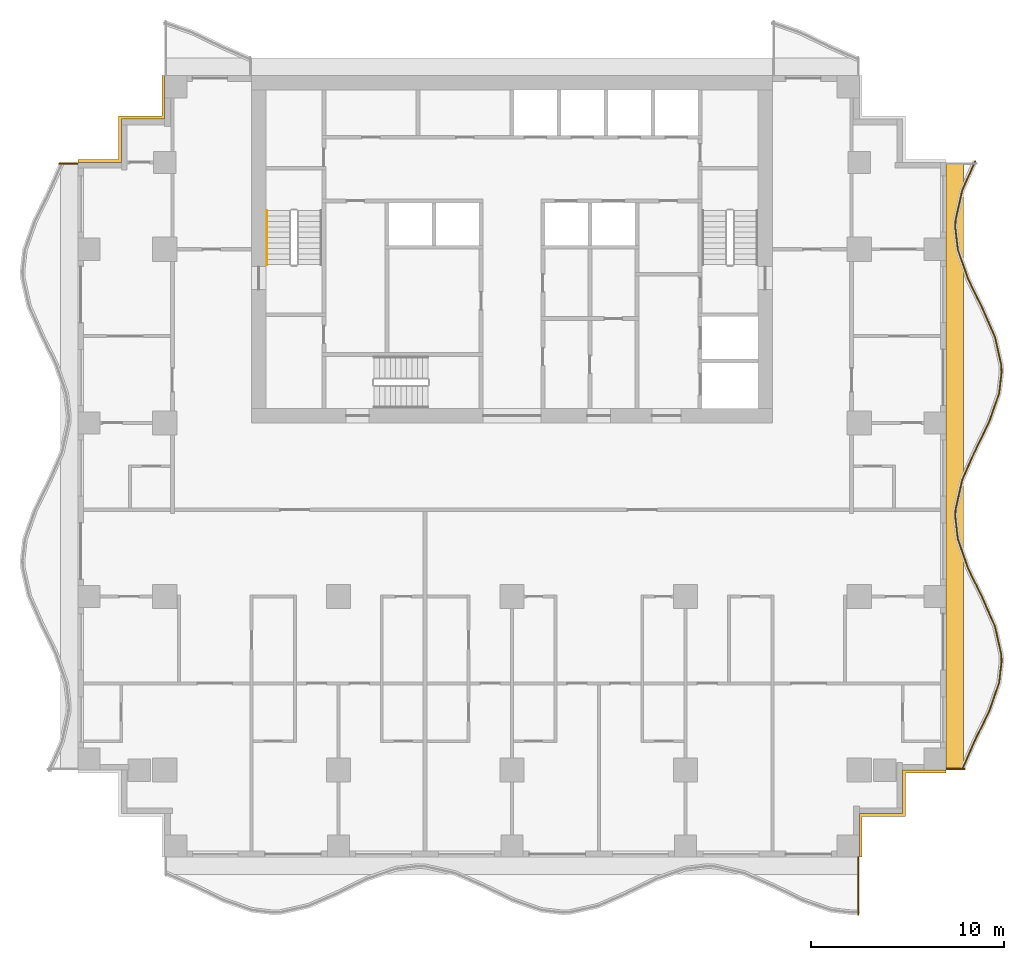
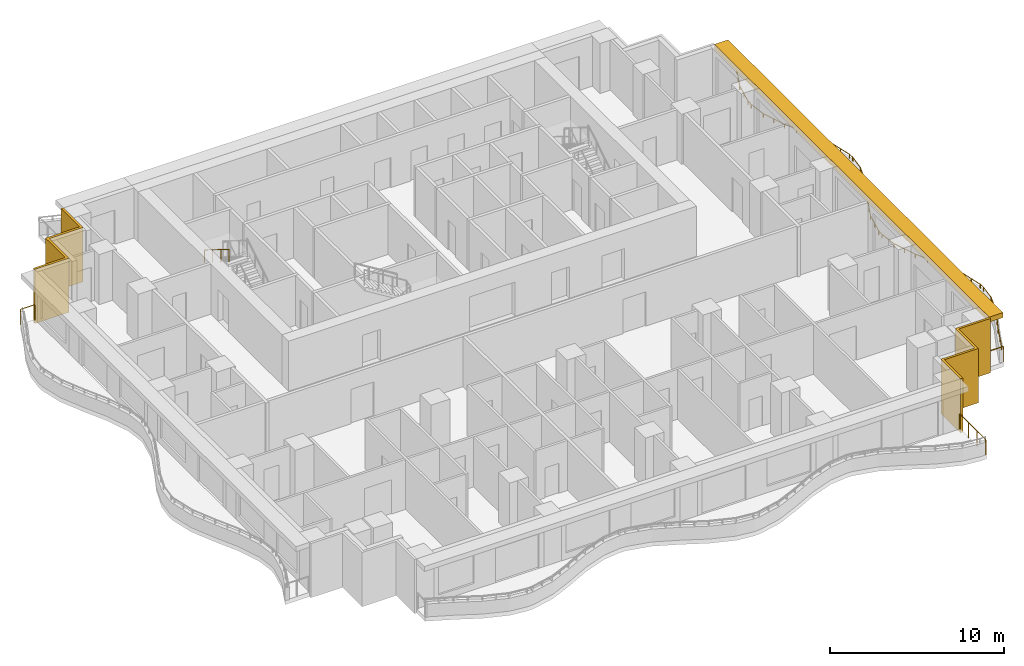
# One storey, part 9 of 10: 5 railings, 3 shading devices.
"""IFC4 building model written with IfcOpenShell, lengths in metres."""

from ifc_helpers import new_model, si_unit, direction, frame, origin, origin_2d, place, context, subcontext, project, spatial, polyline, rectangle, circle, outline, extrude, material, layer, layer_set, type_object, element, save


model = new_model("IFC4")

# Units and contexts
model_context = context("Model", 3, precision=1e-05, world=origin(), true_north=direction((0.0, 1.0)))
body_context = subcontext(model_context, "Body", "Model", "MODEL_VIEW")
ifc_project = project(units=[si_unit("LENGTHUNIT", "METRE"), si_unit("AREAUNIT", "SQUARE_METRE"), si_unit("VOLUMEUNIT", "CUBIC_METRE"), si_unit("PLANEANGLEUNIT", "RADIAN"), si_unit("MASSUNIT", "GRAM", prefix="KILO")], contexts=[model_context])

# Site, building, storey
site_placement = place(None, origin())
site = spatial("IfcSite", under=ifc_project, at=site_placement, CompositionType="ELEMENT")
building_placement = place(site_placement, origin())
building = spatial("IfcBuilding", under=site, at=building_placement, Name="Orbiselva Terraces", CompositionType="ELEMENT")
storey_placement = place(building_placement, frame((0.0, 0.0, 140.2)))
storey = spatial("IfcBuildingStorey", under=building, at=storey_placement, Name="L35", CompositionType="ELEMENT", Elevation=140.2)

# Railings
ifc_material_1 = material(Name="Stainless steel", Category="steel")
railing_type_1 = type_object("IfcRailingType", Name="CORE-HANDRAIL-900", PredefinedType="HANDRAIL", material=ifc_material_1)
railing_1_placement = place(storey_placement, frame((-12.7, 15.5, 2.072727)))
element("IfcRailing", 1, at=railing_1_placement, inside=storey, type_object=railing_type_1, Name="L35 S1 stair handrail 2", PredefinedType="HANDRAIL", context=body_context, shape_type="SweptSolid", body=[
    extrude(circle(Radius=0.024, at=origin_2d()), frame((0.0, 0.0, 0.876), z_axis=(0.0, -0.851088519012, 0.52502222125), x_axis=(1.0, 0.0, 0.0)), (0.0, 0.0, 1.0), 3.289905),
    extrude(circle(Radius=0.021, at=origin_2d()), origin(), (0.0, 0.0, 1.0), 0.852),
    extrude(circle(Radius=0.021, at=origin_2d()), frame((0.0, -0.933333, 0.575758)), (0.0, 0.0, 1.0), 0.852),
    extrude(circle(Radius=0.021, at=origin_2d()), frame((0.0, -1.866667, 1.151515)), (0.0, 0.0, 1.0), 0.852),
    extrude(circle(Radius=0.021, at=origin_2d()), frame((0.0, -2.8, 1.727273)), (0.0, 0.0, 1.0), 0.852),
])
ifc_material_2 = material(Name="Bonded two-ply safety glass balustrade, stainless steel posts", Category="steel")
railing_type_2 = type_object("IfcRailingType", Name="ENV-BALUSTRADE-1200", PredefinedType="BALUSTRADE", material=ifc_material_2)
railing_2_placement = place(storey_placement, frame((23.33708, -13.449606, 0.9)))
element("IfcRailing", 2, at=railing_2_placement, inside=storey, type_object=railing_type_2, Name="Balcony balustrade L35 E", PredefinedType="BALUSTRADE", context=body_context, shape_type="SweptSolid", body=[
    extrude(outline(polyline([(0.028868, 0.0), (0.014434, 0.025), (-0.014434, 0.025), (-0.028868, 0.0), (-0.014434, -0.025), (0.014434, -0.025), (0.028868, 0.0)])), frame((0.0, 0.0, 0.275), z_axis=(0.403151175476, 0.915133394491, 0.0), x_axis=(-0.915133394491, 0.403151175476, 0.0)), (0.0, 0.0, 1.0), 1.641563),
    extrude(outline(polyline([(0.028868, 0.0), (0.014434, 0.025), (-0.014434, 0.025), (-0.028868, 0.0), (-0.014434, -0.025), (0.014434, -0.025), (0.028868, 0.0)])), frame((0.661798, 1.502249, 0.275), z_axis=(0.438811978768, 0.89857890432, 0.0), x_axis=(-0.89857890432, 0.438811978768, 0.0)), (0.0, 0.0, 1.0), 1.66438),
    extrude(outline(polyline([(0.028868, 0.0), (0.014434, 0.025), (-0.014434, 0.025), (-0.028868, 0.0), (-0.014434, -0.025), (0.014434, -0.025), (0.028868, 0.0)])), frame((1.392148, 2.997826, 0.275), z_axis=(0.330024754707, 0.943972277814, 0.0), x_axis=(-0.943972277814, 0.330024754707, 0.0)), (0.0, 0.0, 1.0), 1.567807),
    extrude(outline(polyline([(0.028868, 0.0), (0.014434, 0.025), (-0.014434, 0.025), (-0.028868, 0.0), (-0.014434, -0.025), (0.014434, -0.025), (0.028868, 0.0)])), frame((1.909563, 4.477792, 0.275), z_axis=(0.115481264762, 0.993309658409, 0.0), x_axis=(-0.993309658409, 0.115481264762, 0.0)), (0.0, 0.0, 1.0), 1.10902),
    extrude(outline(polyline([(0.028868, 0.0), (0.014434, 0.025), (-0.014434, 0.025), (-0.028868, 0.0), (-0.014434, -0.025), (0.014434, -0.025), (0.028868, 0.0)])), frame((2.037634, 5.579392, 0.275), z_axis=(-0.039364150694, 0.999224931454, 0.0), x_axis=(-0.999224931454, -0.039364150694, 0.0)), (0.0, 0.0, 1.0), 0.354206),
    extrude(outline(polyline([(0.028868, 0.0), (0.014434, 0.025), (-0.014434, 0.025), (-0.028868, 0.0), (-0.014434, -0.025), (0.014434, -0.025), (0.028868, 0.0)])), frame((2.023691, 5.933323, 0.275), z_axis=(-0.219015740235, 0.975721325753, 0.0), x_axis=(-0.975721325753, -0.219015740235, 0.0)), (0.0, 0.0, 1.0), 1.513782),
    extrude(outline(polyline([(0.028868, 0.0), (0.014434, 0.025), (-0.014434, 0.025), (-0.028868, 0.0), (-0.014434, -0.025), (0.014434, -0.025), (0.028868, 0.0)])), frame((1.692149, 7.410352, 0.275), z_axis=(-0.403151245402, 0.915133363686, 0.0), x_axis=(-0.915133363686, -0.403151245402, 0.0)), (0.0, 0.0, 1.0), 1.624475),
    extrude(outline(polyline([(0.028868, 0.0), (0.014434, 0.025), (-0.014434, 0.025), (-0.028868, 0.0), (-0.014434, -0.025), (0.014434, -0.025), (0.028868, 0.0)])), frame((1.03724, 8.896963, 0.275), z_axis=(-0.438812048596, 0.898578870221, 0.0), x_axis=(-0.898578870221, -0.438812048596, 0.0)), (0.0, 0.0, 1.0), 1.674225),
    extrude(outline(polyline([(0.028868, 0.0), (0.014434, 0.025), (-0.014434, 0.025), (-0.028868, 0.0), (-0.014434, -0.025), (0.014434, -0.025), (0.028868, 0.0)])), frame((0.30257, 10.401386, 0.275), z_axis=(-0.330024597479, 0.943972332783, 0.0), x_axis=(-0.943972332783, -0.330024597479, 0.0)), (0.0, 0.0, 1.0), 1.610253),
    extrude(outline(polyline([(0.028868, 0.0), (0.014434, 0.025), (-0.014434, 0.025), (-0.028868, 0.0), (-0.014434, -0.025), (0.014434, -0.025), (0.028868, 0.0)])), frame((-0.228853, 11.92142, 0.275), z_axis=(-0.115482182324, 0.993309551734, 0.0), x_axis=(-0.993309551734, -0.115482182324, 0.0)), (0.0, 0.0, 1.0), 1.156135),
    extrude(outline(polyline([(0.028868, 0.0), (0.014434, 0.025), (-0.014434, 0.025), (-0.028868, 0.0), (-0.014434, -0.025), (0.014434, -0.025), (0.028868, 0.0)])), frame((-0.362366, 13.06982, 0.275), z_axis=(0.03936915532, 0.999224734286, 0.0), x_axis=(-0.999224734286, 0.03936915532, 0.0)), (0.0, 0.0, 1.0), 0.396376),
    extrude(outline(polyline([(0.028868, 0.0), (0.014434, 0.025), (-0.014434, 0.025), (-0.028868, 0.0), (-0.014434, -0.025), (0.014434, -0.025), (0.028868, 0.0)])), frame((-0.346761, 13.465889, 0.275), z_axis=(0.219015500924, 0.97572137947, 0.0), x_axis=(-0.97572137947, 0.219015500924, 0.0)), (0.0, 0.0, 1.0), 1.560867),
    extrude(outline(polyline([(0.028868, 0.0), (0.014434, 0.025), (-0.014434, 0.025), (-0.028868, 0.0), (-0.014434, -0.025), (0.014434, -0.025), (0.028868, 0.0)])), frame((-0.004907, 14.98886, 0.275), z_axis=(0.403150874148, 0.915133527237, 0.0), x_axis=(-0.915133527237, 0.403150874148, 0.0)), (0.0, 0.0, 1.0), 1.653736),
    extrude(outline(polyline([(0.028868, 0.0), (0.014434, 0.025), (-0.014434, 0.025), (-0.028868, 0.0), (-0.014434, -0.025), (0.014434, -0.025), (0.028868, 0.0)])), frame((0.661798, 16.502249, 0.275), z_axis=(0.438811978768, 0.89857890432, 0.0), x_axis=(-0.89857890432, 0.438811978768, 0.0)), (0.0, 0.0, 1.0), 1.66438),
    extrude(outline(polyline([(0.028868, 0.0), (0.014434, 0.025), (-0.014434, 0.025), (-0.028868, 0.0), (-0.014434, -0.025), (0.014434, -0.025), (0.028868, 0.0)])), frame((1.392148, 17.997826, 0.275), z_axis=(0.330024754707, 0.943972277814, 0.0), x_axis=(-0.943972277814, 0.330024754707, 0.0)), (0.0, 0.0, 1.0), 1.567807),
    extrude(outline(polyline([(0.028868, 0.0), (0.014434, 0.025), (-0.014434, 0.025), (-0.028868, 0.0), (-0.014434, -0.025), (0.014434, -0.025), (0.028868, 0.0)])), frame((1.909563, 19.477792, 0.275), z_axis=(0.115481264762, 0.993309658409, 0.0), x_axis=(-0.993309658409, 0.115481264762, 0.0)), (0.0, 0.0, 1.0), 1.10902),
    extrude(outline(polyline([(0.028868, 0.0), (0.014434, 0.025), (-0.014434, 0.025), (-0.028868, 0.0), (-0.014434, -0.025), (0.014434, -0.025), (0.028868, 0.0)])), frame((2.037634, 20.579392, 0.275), z_axis=(-0.039364150694, 0.999224931454, 0.0), x_axis=(-0.999224931454, -0.039364150694, 0.0)), (0.0, 0.0, 1.0), 0.354206),
    extrude(outline(polyline([(0.028868, 0.0), (0.014434, 0.025), (-0.014434, 0.025), (-0.028868, 0.0), (-0.014434, -0.025), (0.014434, -0.025), (0.028868, 0.0)])), frame((2.023691, 20.933323, 0.275), z_axis=(-0.219015740235, 0.975721325753, 0.0), x_axis=(-0.975721325753, -0.219015740235, 0.0)), (0.0, 0.0, 1.0), 1.513782),
    extrude(outline(polyline([(0.028868, 0.0), (0.014434, 0.025), (-0.014434, 0.025), (-0.028868, 0.0), (-0.014434, -0.025), (0.014434, -0.025), (0.028868, 0.0)])), frame((1.692149, 22.410352, 0.275), z_axis=(-0.403151245402, 0.915133363686, 0.0), x_axis=(-0.915133363686, -0.403151245402, 0.0)), (0.0, 0.0, 1.0), 1.624475),
    extrude(outline(polyline([(0.028868, 0.0), (0.014434, 0.025), (-0.014434, 0.025), (-0.028868, 0.0), (-0.014434, -0.025), (0.014434, -0.025), (0.028868, 0.0)])), frame((1.03724, 23.896963, 0.275), z_axis=(-0.438812048596, 0.898578870221, 0.0), x_axis=(-0.898578870221, -0.438812048596, 0.0)), (0.0, 0.0, 1.0), 1.674225),
    extrude(outline(polyline([(0.028868, 0.0), (0.014434, 0.025), (-0.014434, 0.025), (-0.028868, 0.0), (-0.014434, -0.025), (0.014434, -0.025), (0.028868, 0.0)])), frame((0.30257, 25.401386, 0.275), z_axis=(-0.330024597479, 0.943972332783, 0.0), x_axis=(-0.943972332783, -0.330024597479, 0.0)), (0.0, 0.0, 1.0), 1.610253),
    extrude(outline(polyline([(0.028868, 0.0), (0.014434, 0.025), (-0.014434, 0.025), (-0.028868, 0.0), (-0.014434, -0.025), (0.014434, -0.025), (0.028868, 0.0)])), frame((-0.228853, 26.92142, 0.275), z_axis=(-0.115482182324, 0.993309551734, 0.0), x_axis=(-0.993309551734, -0.115482182324, 0.0)), (0.0, 0.0, 1.0), 1.156135),
    extrude(outline(polyline([(0.028868, 0.0), (0.014434, 0.025), (-0.014434, 0.025), (-0.028868, 0.0), (-0.014434, -0.025), (0.014434, -0.025), (0.028868, 0.0)])), frame((-0.362366, 28.06982, 0.275), z_axis=(0.03936915532, 0.999224734286, 0.0), x_axis=(-0.999224734286, 0.03936915532, 0.0)), (0.0, 0.0, 1.0), 0.396376),
    extrude(outline(polyline([(0.028868, 0.0), (0.014434, 0.025), (-0.014434, 0.025), (-0.028868, 0.0), (-0.014434, -0.025), (0.014434, -0.025), (0.028868, 0.0)])), frame((-0.346761, 28.465889, 0.275), z_axis=(0.219015500924, 0.97572137947, 0.0), x_axis=(-0.97572137947, 0.219015500924, 0.0)), (0.0, 0.0, 1.0), 1.560867),
    extrude(outline(polyline([(0.028868, 0.0), (0.014434, 0.025), (-0.014434, 0.025), (-0.028868, 0.0), (-0.014434, -0.025), (0.014434, -0.025), (0.028868, 0.0)])), frame((-0.004907, 29.98886, 0.275), z_axis=(0.403150757208, 0.915133578754, 0.0), x_axis=(-0.915133578754, 0.403150757208, 0.0)), (0.0, 0.0, 1.0), 1.651278),
    extrude(rectangle(XDim=0.05, YDim=0.05, at=origin_2d()), origin(), (0.0, 0.0, 1.0), 0.25),
    extrude(rectangle(XDim=0.05, YDim=0.05, at=origin_2d()), frame((0.330899, 0.751124, 0.0)), (0.0, 0.0, 1.0), 0.25),
    extrude(rectangle(XDim=0.05, YDim=0.05, at=origin_2d()), frame((0.661798, 1.502249, 0.0)), (0.0, 0.0, 1.0), 0.25),
    extrude(rectangle(XDim=0.05, YDim=0.05, at=origin_2d()), frame((1.026973, 2.250037, 0.0)), (0.0, 0.0, 1.0), 0.25),
    extrude(rectangle(XDim=0.05, YDim=0.05, at=origin_2d()), frame((1.392148, 2.997826, 0.0)), (0.0, 0.0, 1.0), 0.25),
    extrude(rectangle(XDim=0.05, YDim=0.05, at=origin_2d()), frame((1.650855, 3.737809, 0.0)), (0.0, 0.0, 1.0), 0.25),
    extrude(rectangle(XDim=0.05, YDim=0.05, at=origin_2d()), frame((1.909563, 4.477792, 0.0)), (0.0, 0.0, 1.0), 0.25),
    extrude(rectangle(XDim=0.05, YDim=0.05, at=origin_2d()), frame((2.037634, 5.579392, 0.0)), (0.0, 0.0, 1.0), 0.25),
    extrude(rectangle(XDim=0.05, YDim=0.05, at=origin_2d()), frame((2.023691, 5.933323, 0.0)), (0.0, 0.0, 1.0), 0.25),
    extrude(rectangle(XDim=0.05, YDim=0.05, at=origin_2d()), frame((1.85792, 6.671838, 0.0)), (0.0, 0.0, 1.0), 0.25),
    extrude(rectangle(XDim=0.05, YDim=0.05, at=origin_2d()), frame((1.692149, 7.410352, 0.0)), (0.0, 0.0, 1.0), 0.25),
    extrude(rectangle(XDim=0.05, YDim=0.05, at=origin_2d()), frame((1.364695, 8.153658, 0.0)), (0.0, 0.0, 1.0), 0.25),
    extrude(rectangle(XDim=0.05, YDim=0.05, at=origin_2d()), frame((1.03724, 8.896963, 0.0)), (0.0, 0.0, 1.0), 0.25),
    extrude(rectangle(XDim=0.05, YDim=0.05, at=origin_2d()), frame((0.669905, 9.649174, 0.0)), (0.0, 0.0, 1.0), 0.25),
    extrude(rectangle(XDim=0.05, YDim=0.05, at=origin_2d()), frame((0.30257, 10.401386, 0.0)), (0.0, 0.0, 1.0), 0.25),
    extrude(rectangle(XDim=0.05, YDim=0.05, at=origin_2d()), frame((0.036858, 11.161403, 0.0)), (0.0, 0.0, 1.0), 0.25),
    extrude(rectangle(XDim=0.05, YDim=0.05, at=origin_2d()), frame((-0.228853, 11.92142, 0.0)), (0.0, 0.0, 1.0), 0.25),
    extrude(rectangle(XDim=0.05, YDim=0.05, at=origin_2d()), frame((-0.362366, 13.06982, 0.0)), (0.0, 0.0, 1.0), 0.25),
    extrude(rectangle(XDim=0.05, YDim=0.05, at=origin_2d()), frame((-0.346761, 13.465889, 0.0)), (0.0, 0.0, 1.0), 0.25),
    extrude(rectangle(XDim=0.05, YDim=0.05, at=origin_2d()), frame((-0.175834, 14.227374, 0.0)), (0.0, 0.0, 1.0), 0.25),
    extrude(rectangle(XDim=0.05, YDim=0.05, at=origin_2d()), frame((-0.004907, 14.98886, 0.0)), (0.0, 0.0, 1.0), 0.25),
    extrude(rectangle(XDim=0.05, YDim=0.05, at=origin_2d()), frame((0.328446, 15.745554, 0.0)), (0.0, 0.0, 1.0), 0.25),
    extrude(rectangle(XDim=0.05, YDim=0.05, at=origin_2d()), frame((0.661798, 16.502249, 0.0)), (0.0, 0.0, 1.0), 0.25),
    extrude(rectangle(XDim=0.05, YDim=0.05, at=origin_2d()), frame((1.026973, 17.250037, 0.0)), (0.0, 0.0, 1.0), 0.25),
    extrude(rectangle(XDim=0.05, YDim=0.05, at=origin_2d()), frame((1.392148, 17.997826, 0.0)), (0.0, 0.0, 1.0), 0.25),
    extrude(rectangle(XDim=0.05, YDim=0.05, at=origin_2d()), frame((1.650855, 18.737809, 0.0)), (0.0, 0.0, 1.0), 0.25),
    extrude(rectangle(XDim=0.05, YDim=0.05, at=origin_2d()), frame((1.909563, 19.477792, 0.0)), (0.0, 0.0, 1.0), 0.25),
    extrude(rectangle(XDim=0.05, YDim=0.05, at=origin_2d()), frame((2.037634, 20.579392, 0.0)), (0.0, 0.0, 1.0), 0.25),
    extrude(rectangle(XDim=0.05, YDim=0.05, at=origin_2d()), frame((2.023691, 20.933323, 0.0)), (0.0, 0.0, 1.0), 0.25),
    extrude(rectangle(XDim=0.05, YDim=0.05, at=origin_2d()), frame((1.85792, 21.671838, 0.0)), (0.0, 0.0, 1.0), 0.25),
    extrude(rectangle(XDim=0.05, YDim=0.05, at=origin_2d()), frame((1.692149, 22.410352, 0.0)), (0.0, 0.0, 1.0), 0.25),
    extrude(rectangle(XDim=0.05, YDim=0.05, at=origin_2d()), frame((1.364695, 23.153658, 0.0)), (0.0, 0.0, 1.0), 0.25),
    extrude(rectangle(XDim=0.05, YDim=0.05, at=origin_2d()), frame((1.03724, 23.896963, 0.0)), (0.0, 0.0, 1.0), 0.25),
    extrude(rectangle(XDim=0.05, YDim=0.05, at=origin_2d()), frame((0.669905, 24.649174, 0.0)), (0.0, 0.0, 1.0), 0.25),
    extrude(rectangle(XDim=0.05, YDim=0.05, at=origin_2d()), frame((0.30257, 25.401386, 0.0)), (0.0, 0.0, 1.0), 0.25),
    extrude(rectangle(XDim=0.05, YDim=0.05, at=origin_2d()), frame((0.036858, 26.161403, 0.0)), (0.0, 0.0, 1.0), 0.25),
    extrude(rectangle(XDim=0.05, YDim=0.05, at=origin_2d()), frame((-0.228853, 26.92142, 0.0)), (0.0, 0.0, 1.0), 0.25),
    extrude(rectangle(XDim=0.05, YDim=0.05, at=origin_2d()), frame((-0.362366, 28.06982, 0.0)), (0.0, 0.0, 1.0), 0.25),
    extrude(rectangle(XDim=0.05, YDim=0.05, at=origin_2d()), frame((-0.346761, 28.465889, 0.0)), (0.0, 0.0, 1.0), 0.25),
    extrude(rectangle(XDim=0.05, YDim=0.05, at=origin_2d()), frame((-0.175834, 29.227374, 0.0)), (0.0, 0.0, 1.0), 0.25),
    extrude(rectangle(XDim=0.05, YDim=0.05, at=origin_2d()), frame((-0.004907, 29.98886, 0.0)), (0.0, 0.0, 1.0), 0.25),
    extrude(rectangle(XDim=0.05, YDim=0.05, at=origin_2d()), frame((0.32795, 30.74443, 0.0)), (0.0, 0.0, 1.0), 0.25),
    extrude(rectangle(XDim=0.05, YDim=0.05, at=origin_2d()), frame((0.660807, 31.5, 0.0)), (0.0, 0.0, 1.0), 0.25),
])
ifc_material_3 = material(Name="Stainless steel rail and posts", Category="steel")
railing_type_3 = type_object("IfcRailingType", Name="ENV-GUARD-1105", PredefinedType="BALUSTRADE", material=ifc_material_3)
railing_3_placement = place(storey_placement, frame((17.94, -20.989569, 0.0)))
element("IfcRailing", 3, at=railing_3_placement, inside=storey, type_object=railing_type_3, Name="Balcony end guard L35 S", PredefinedType="BALUSTRADE", context=body_context, shape_type="SweptSolid", body=[
    extrude(outline(polyline([(0.028868, 0.0), (0.014434, 0.025), (-0.014434, 0.025), (-0.028868, 0.0), (-0.014434, -0.025), (0.014434, -0.025), (0.028868, 0.0)])), frame((0.0, 0.0, 1.08), z_axis=(0.0, 1.0, 0.0), x_axis=(-1.0, 0.0, 0.0)), (0.0, 0.0, 1.0), 2.964569),
    extrude(rectangle(XDim=0.05, YDim=0.05, at=origin_2d()), origin(), (0.0, 0.0, 1.0), 1.055),
    extrude(rectangle(XDim=0.05, YDim=0.05, at=origin_2d()), frame((0.0, 0.98819, 0.0)), (0.0, 0.0, 1.0), 1.055),
    extrude(rectangle(XDim=0.05, YDim=0.05, at=origin_2d()), frame((0.0, 1.976379, 0.0)), (0.0, 0.0, 1.0), 1.055),
    extrude(rectangle(XDim=0.05, YDim=0.05, at=origin_2d()), frame((0.0, 2.964569, 0.0)), (0.0, 0.0, 1.0), 1.055),
])
railing_4_placement = place(storey_placement, frame((23.473063, -13.44, 0.0)))
element("IfcRailing", 4, at=railing_4_placement, inside=storey, type_object=railing_type_3, Name="Balcony end guard L35 E", PredefinedType="BALUSTRADE", context=body_context, shape_type="SweptSolid", body=[
    extrude(outline(polyline([(0.028868, 0.0), (0.014434, 0.025), (-0.014434, 0.025), (-0.028868, 0.0), (-0.014434, -0.025), (0.014434, -0.025), (0.028868, 0.0)])), frame((0.0, 0.0, 1.08), z_axis=(-1.0, 0.0, 0.0), x_axis=(0.0, -1.0, 0.0)), (0.0, 0.0, 1.0), 0.948063),
    extrude(rectangle(XDim=0.05, YDim=0.05, at=origin_2d()), origin(), (0.0, 0.0, 1.0), 1.055),
    extrude(rectangle(XDim=0.05, YDim=0.05, at=origin_2d()), frame((-0.948063, 0.0, 0.0)), (0.0, 0.0, 1.0), 1.055),
])
railing_5_placement = place(storey_placement, frame((-23.473063, 17.94, 0.0)))
element("IfcRailing", 5, at=railing_5_placement, inside=storey, type_object=railing_type_3, Name="Balcony end guard L35 W", PredefinedType="BALUSTRADE", context=body_context, shape_type="SweptSolid", body=[
    extrude(outline(polyline([(0.028868, 0.0), (0.014434, 0.025), (-0.014434, 0.025), (-0.028868, 0.0), (-0.014434, -0.025), (0.014434, -0.025), (0.028868, 0.0)])), frame((0.0, 0.0, 1.08), z_axis=(1.0, 0.0, 0.0), x_axis=(0.0, 1.0, 0.0)), (0.0, 0.0, 1.0), 0.948063),
    extrude(rectangle(XDim=0.05, YDim=0.05, at=origin_2d()), origin(), (0.0, 0.0, 1.0), 1.055),
    extrude(rectangle(XDim=0.05, YDim=0.05, at=origin_2d()), frame((0.948063, 0.0, 0.0)), (0.0, 0.0, 1.0), 1.055),
])

# Shading devices
ifc_material_4 = material(Name="Terracotta louvre screen", Category="masonry")
ifc_layer_1 = layer(ifc_material_4, 0.15)
ifc_layer_set_1 = layer_set([ifc_layer_1], Name="Terracotta louvre screen")
shading_device_type_1 = type_object("IfcShadingDeviceType", Name="ENV-SCREEN-150", PredefinedType="USERDEFINED", material=ifc_layer_set_1)
shading_device_1_placement = place(storey_placement, frame((0.0, 0.0, -0.3)))
element("IfcShadingDevice", 6, at=shading_device_1_placement, inside=storey, type_object=shading_device_type_1, Name="Louvre screen L35 NW", ObjectType="SCREEN", PredefinedType="USERDEFINED", context=body_context, shape_type="SweptSolid", body=[
    extrude(outline(polyline([(-18.15, 22.5), (-18.15, 20.4), (-20.4, 20.4), (-20.4, 18.15), (-22.5, 18.15), (-22.5, 18.0), (-20.25, 18.0), (-20.25, 20.25), (-18.0, 20.25), (-18.0, 22.5), (-18.15, 22.5)])), origin(), (0.0, 0.0, 1.0), 3.8),
])
shading_device_2_placement = place(storey_placement, frame((0.0, 0.0, -0.3)))
element("IfcShadingDevice", 7, at=shading_device_2_placement, inside=storey, type_object=shading_device_type_1, Name="Louvre screen L35 SE", ObjectType="SCREEN", PredefinedType="USERDEFINED", context=body_context, shape_type="SweptSolid", body=[
    extrude(outline(polyline([(18.15, -18.0), (18.15, -15.9), (20.4, -15.9), (20.4, -13.65), (22.5, -13.65), (22.5, -13.5), (20.25, -13.5), (20.25, -15.75), (18.0, -15.75), (18.0, -18.0), (18.15, -18.0)])), origin(), (0.0, 0.0, 1.0), 3.8),
])
ifc_material_5 = material(Name="Terracotta baguette sunshade", Category="masonry")
ifc_layer_2 = layer(ifc_material_5, 0.35)
ifc_layer_set_2 = layer_set([ifc_layer_2], Name="Terracotta baguette sunshade")
shading_device_type_2 = type_object("IfcShadingDeviceType", Name="ENV-SUNSHADE-900x350", PredefinedType="USERDEFINED", material=ifc_layer_set_2)
shading_device_3_placement = place(storey_placement, frame((0.0, 0.0, 3.15)))
element("IfcShadingDevice", 8, at=shading_device_3_placement, inside=storey, type_object=shading_device_type_2, Name="Sunshade band L35 E", ObjectType="SUNSHADE", PredefinedType="USERDEFINED", context=body_context, shape_type="SweptSolid", body=[
    extrude(outline(polyline([(23.4, -13.5), (23.4, 18.0), (22.5, 18.0), (22.5, -13.5), (23.4, -13.5)])), origin(), (0.0, 0.0, 1.0), 0.35),
])

save(model, "model.ifc")
